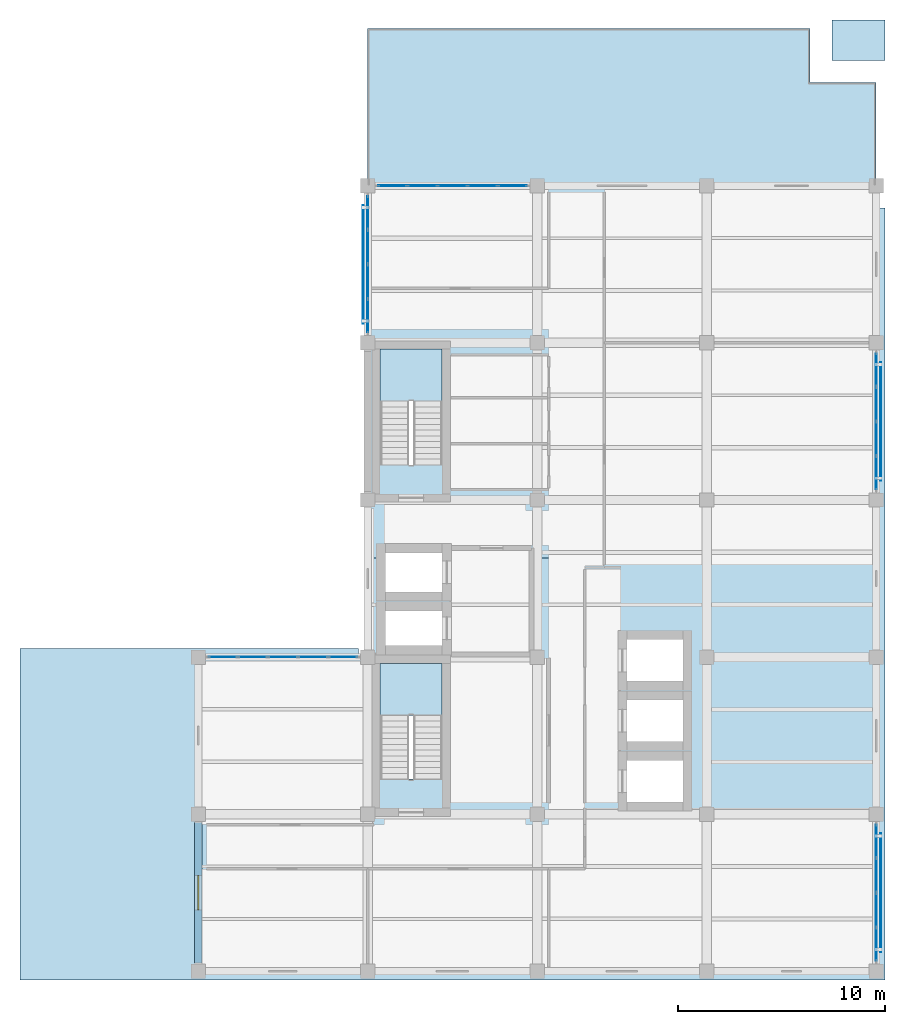
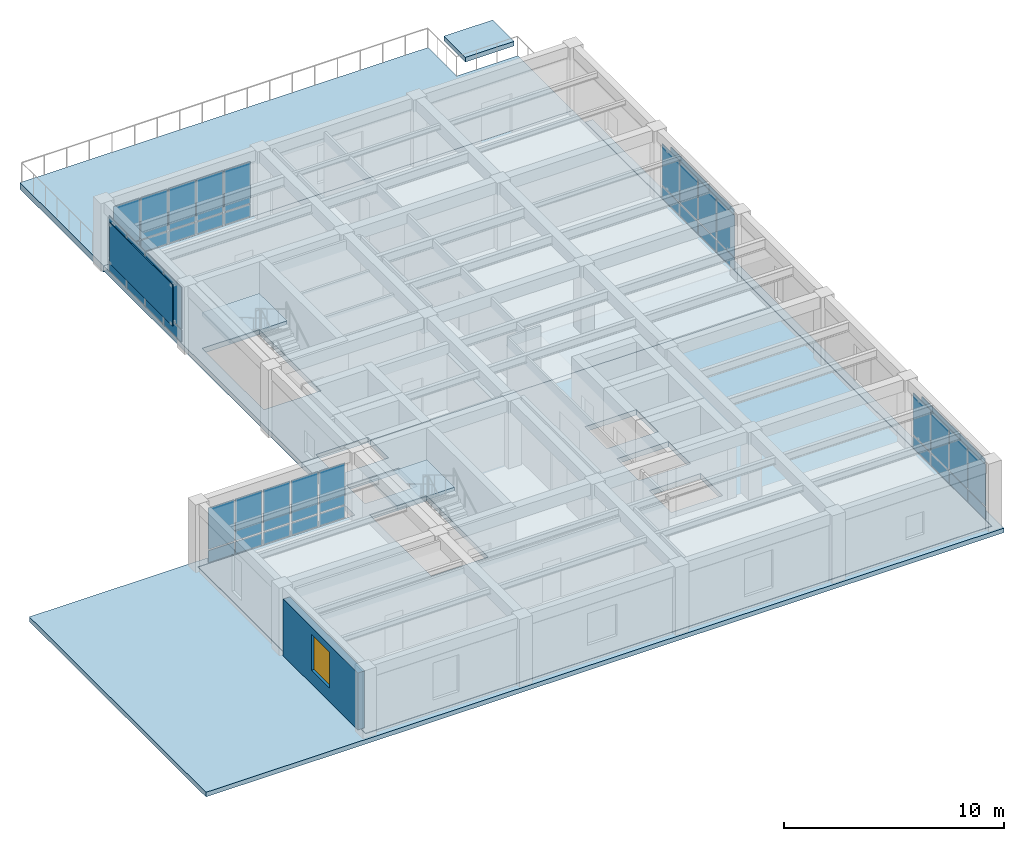
# One storey, part 5 of 11: 47 plates, 7 slabs, 1 wall, 1 window, 1 opening, 7 elements without a shape of their own.
"""IFC4 building model written with IfcOpenShell, lengths in metres."""

from ifc_helpers import new_model, si_unit, direction, frame, frame_2d, origin, origin_2d, place, context, subcontext, project, spatial, polyline, rectangle, outline, extrude, material, layer, layer_set, type_object, element, fill, aggregate, save


model = new_model("IFC4")

# Units and contexts
model_context = context("Model", 3, precision=1e-05, world=origin(), true_north=direction((0.0, 1.0)))
body_context = subcontext(model_context, "Body", "Model", "MODEL_VIEW")
ifc_project = project(units=[si_unit("LENGTHUNIT", "METRE"), si_unit("AREAUNIT", "SQUARE_METRE"), si_unit("VOLUMEUNIT", "CUBIC_METRE"), si_unit("PLANEANGLEUNIT", "RADIAN"), si_unit("MASSUNIT", "GRAM", prefix="KILO")], contexts=[model_context])

# Site, building, storey
site_placement = place(None, origin())
site = spatial("IfcSite", under=ifc_project, at=site_placement, CompositionType="ELEMENT")
building_placement = place(site_placement, origin())
building = spatial("IfcBuilding", under=site, at=building_placement, Name="Qandaris Square Conservatory and Botanical Centre", CompositionType="ELEMENT")
storey_placement = place(building_placement, frame((0.0, 0.0, 66.199951171875)))
storey = spatial("IfcBuildingStorey", under=building, at=storey_placement, Name="L15", CompositionType="ELEMENT", Elevation=66.199951171875)

# Curtain wall, plates
ifc_material_1 = material(Name="Anodised Aluminium", Category="aluminium")
curtain_wall_type_1 = type_object("IfcCurtainWallType", Name="Unitised Curtain Wall CW-4-670x316", PredefinedType="USERDEFINED", material=ifc_material_1)
curtain_wall_1_placement = place(storey_placement, origin())
curtain_wall_1 = element("IfcCurtainWall", 1, at=curtain_wall_1_placement, inside=storey, type_object=curtain_wall_type_1, Name="Curtain Wall CW-TWR-L15-2-1", ObjectType="GLAZED CURTAIN WALL", PredefinedType="USERDEFINED")
ifc_material_2 = material(Name="Tempered Low-E Glass", Category="glass")
ifc_layer_1 = layer(ifc_material_2, 0.035888671875)
ifc_layer_set_1 = layer_set([ifc_layer_1], Name="Tempered Low-E Glass")
plate_type_1 = type_object("IfcPlateType", Name="Double-Glazed Solar Control Vision Unit 36mm", PredefinedType="CURTAIN_PANEL", material=ifc_layer_set_1)
plate_1_placement = place(storey_placement, frame((163.800048828125, 17.90380859375, 0.06494140625), z_axis=(0.0, 0.0, 1.0), x_axis=(0.0, 1.0, 0.0)))
plate_1 = element("IfcPlate", 2, at=plate_1_placement, type_object=plate_type_1, Name="CW-4-670x316 panel 1.1", PredefinedType="CURTAIN_PANEL", context=body_context, shape_type="SweptSolid", body=[
    extrude(rectangle(XDim=1.577392578125, YDim=0.035888671875, at=origin_2d()), origin(), (0.0, 0.0, 1.0), 0.660888671875),
])
plate_2_placement = place(storey_placement, frame((163.800048828125, 17.90380859375, 0.791015625), z_axis=(0.0, 0.0, 1.0), x_axis=(0.0, 1.0, 0.0)))
plate_2 = element("IfcPlate", 3, at=plate_2_placement, type_object=plate_type_1, Name="CW-4-670x316 panel 1.2", PredefinedType="CURTAIN_PANEL", context=body_context, shape_type="SweptSolid", body=[
    extrude(rectangle(XDim=1.577392578125, YDim=0.035888671875, at=origin_2d()), origin(), (0.0, 0.0, 1.0), 2.30419921875),
])
plate_3_placement = place(storey_placement, frame((163.800048828125, 19.5625, 0.06494140625), z_axis=(0.0, 0.0, 1.0), x_axis=(0.0, 1.0, 0.0)))
plate_3 = element("IfcPlate", 4, at=plate_3_placement, type_object=plate_type_1, Name="CW-4-670x316 panel 2.1", PredefinedType="CURTAIN_PANEL", context=body_context, shape_type="SweptSolid", body=[
    extrude(rectangle(XDim=1.610107421875, YDim=0.035888671875, at=origin_2d()), origin(), (0.0, 0.0, 1.0), 0.660888671875),
])
plate_4_placement = place(storey_placement, frame((163.800048828125, 19.5625, 0.791015625), z_axis=(0.0, 0.0, 1.0), x_axis=(0.0, 1.0, 0.0)))
plate_4 = element("IfcPlate", 5, at=plate_4_placement, type_object=plate_type_1, Name="CW-4-670x316 panel 2.2", PredefinedType="CURTAIN_PANEL", context=body_context, shape_type="SweptSolid", body=[
    extrude(rectangle(XDim=1.610107421875, YDim=0.035888671875, at=origin_2d()), origin(), (0.0, 0.0, 1.0), 2.30419921875),
])
plate_5_placement = place(storey_placement, frame((163.800048828125, 21.237548828125, 0.06494140625), z_axis=(0.0, 0.0, 1.0), x_axis=(0.0, 1.0, 0.0)))
plate_5 = element("IfcPlate", 6, at=plate_5_placement, type_object=plate_type_1, Name="CW-4-670x316 panel 3.1", PredefinedType="CURTAIN_PANEL", context=body_context, shape_type="SweptSolid", body=[
    extrude(rectangle(XDim=1.610107421875, YDim=0.035888671875, at=origin_2d()), origin(), (0.0, 0.0, 1.0), 0.660888671875),
])
plate_6_placement = place(storey_placement, frame((163.800048828125, 21.237548828125, 0.791015625), z_axis=(0.0, 0.0, 1.0), x_axis=(0.0, 1.0, 0.0)))
plate_6 = element("IfcPlate", 7, at=plate_6_placement, type_object=plate_type_1, Name="CW-4-670x316 panel 3.2", PredefinedType="CURTAIN_PANEL", context=body_context, shape_type="SweptSolid", body=[
    extrude(rectangle(XDim=1.610107421875, YDim=0.035888671875, at=origin_2d()), origin(), (0.0, 0.0, 1.0), 2.30419921875),
])
plate_7_placement = place(storey_placement, frame((163.800048828125, 22.896240234375, 0.06494140625), z_axis=(0.0, 0.0, 1.0), x_axis=(0.0, 1.0, 0.0)))
plate_7 = element("IfcPlate", 8, at=plate_7_placement, type_object=plate_type_1, Name="CW-4-670x316 panel 4.1", PredefinedType="CURTAIN_PANEL", context=body_context, shape_type="SweptSolid", body=[
    extrude(rectangle(XDim=1.577392578125, YDim=0.035888671875, at=origin_2d()), origin(), (0.0, 0.0, 1.0), 0.660888671875),
])
plate_8_placement = place(storey_placement, frame((163.800048828125, 22.896240234375, 0.791015625), z_axis=(0.0, 0.0, 1.0), x_axis=(0.0, 1.0, 0.0)))
plate_8 = element("IfcPlate", 9, at=plate_8_placement, type_object=plate_type_1, Name="CW-4-670x316 panel 4.2", PredefinedType="CURTAIN_PANEL", context=body_context, shape_type="SweptSolid", body=[
    extrude(rectangle(XDim=1.577392578125, YDim=0.035888671875, at=origin_2d()), origin(), (0.0, 0.0, 1.0), 2.30419921875),
])
aggregate(curtain_wall_1, [plate_1, plate_2, plate_3, plate_4, plate_5, plate_6, plate_7, plate_8])

curtain_wall_2_placement = place(storey_placement, origin())
curtain_wall_2 = element("IfcCurtainWall", 10, at=curtain_wall_2_placement, inside=storey, type_object=curtain_wall_type_1, Name="Curtain Wall CW-TWR-L15-2-4", ObjectType="GLAZED CURTAIN WALL", PredefinedType="USERDEFINED")
plate_9_placement = place(storey_placement, frame((163.800048828125, 40.703857421875, 0.06494140625), z_axis=(0.0, 0.0, 1.0), x_axis=(0.0, 1.0, 0.0)))
plate_9 = element("IfcPlate", 11, at=plate_9_placement, type_object=plate_type_1, Name="CW-4-670x316 panel 1.1", PredefinedType="CURTAIN_PANEL", context=body_context, shape_type="SweptSolid", body=[
    extrude(rectangle(XDim=1.577392578125, YDim=0.035888671875, at=origin_2d()), origin(), (0.0, 0.0, 1.0), 0.660888671875),
])
plate_10_placement = place(storey_placement, frame((163.800048828125, 40.703857421875, 0.791015625), z_axis=(0.0, 0.0, 1.0), x_axis=(0.0, 1.0, 0.0)))
plate_10 = element("IfcPlate", 12, at=plate_10_placement, type_object=plate_type_1, Name="CW-4-670x316 panel 1.2", PredefinedType="CURTAIN_PANEL", context=body_context, shape_type="SweptSolid", body=[
    extrude(rectangle(XDim=1.577392578125, YDim=0.035888671875, at=origin_2d()), origin(), (0.0, 0.0, 1.0), 2.30419921875),
])
plate_11_placement = place(storey_placement, frame((163.800048828125, 42.362548828125, 0.06494140625), z_axis=(0.0, 0.0, 1.0), x_axis=(0.0, 1.0, 0.0)))
plate_11 = element("IfcPlate", 13, at=plate_11_placement, type_object=plate_type_1, Name="CW-4-670x316 panel 2.1", PredefinedType="CURTAIN_PANEL", context=body_context, shape_type="SweptSolid", body=[
    extrude(rectangle(XDim=1.610107421875, YDim=0.035888671875, at=origin_2d()), origin(), (0.0, 0.0, 1.0), 0.660888671875),
])
plate_12_placement = place(storey_placement, frame((163.800048828125, 42.362548828125, 0.791015625), z_axis=(0.0, 0.0, 1.0), x_axis=(0.0, 1.0, 0.0)))
plate_12 = element("IfcPlate", 14, at=plate_12_placement, type_object=plate_type_1, Name="CW-4-670x316 panel 2.2", PredefinedType="CURTAIN_PANEL", context=body_context, shape_type="SweptSolid", body=[
    extrude(rectangle(XDim=1.610107421875, YDim=0.035888671875, at=origin_2d()), origin(), (0.0, 0.0, 1.0), 2.30419921875),
])
plate_13_placement = place(storey_placement, frame((163.800048828125, 44.03759765625, 0.06494140625), z_axis=(0.0, 0.0, 1.0), x_axis=(0.0, 1.0, 0.0)))
plate_13 = element("IfcPlate", 15, at=plate_13_placement, type_object=plate_type_1, Name="CW-4-670x316 panel 3.1", PredefinedType="CURTAIN_PANEL", context=body_context, shape_type="SweptSolid", body=[
    extrude(rectangle(XDim=1.610107421875, YDim=0.035888671875, at=origin_2d()), origin(), (0.0, 0.0, 1.0), 0.660888671875),
])
plate_14_placement = place(storey_placement, frame((163.800048828125, 44.03759765625, 0.791015625), z_axis=(0.0, 0.0, 1.0), x_axis=(0.0, 1.0, 0.0)))
plate_14 = element("IfcPlate", 16, at=plate_14_placement, type_object=plate_type_1, Name="CW-4-670x316 panel 3.2", PredefinedType="CURTAIN_PANEL", context=body_context, shape_type="SweptSolid", body=[
    extrude(rectangle(XDim=1.610107421875, YDim=0.035888671875, at=origin_2d()), origin(), (0.0, 0.0, 1.0), 2.30419921875),
])
plate_15_placement = place(storey_placement, frame((163.800048828125, 45.6962890625, 0.06494140625), z_axis=(0.0, 0.0, 1.0), x_axis=(0.0, 1.0, 0.0)))
plate_15 = element("IfcPlate", 17, at=plate_15_placement, type_object=plate_type_1, Name="CW-4-670x316 panel 4.1", PredefinedType="CURTAIN_PANEL", context=body_context, shape_type="SweptSolid", body=[
    extrude(rectangle(XDim=1.577392578125, YDim=0.035888671875, at=origin_2d()), origin(), (0.0, 0.0, 1.0), 0.660888671875),
])
plate_16_placement = place(storey_placement, frame((163.800048828125, 45.6962890625, 0.791015625), z_axis=(0.0, 0.0, 1.0), x_axis=(0.0, 1.0, 0.0)))
plate_16 = element("IfcPlate", 18, at=plate_16_placement, type_object=plate_type_1, Name="CW-4-670x316 panel 4.2", PredefinedType="CURTAIN_PANEL", context=body_context, shape_type="SweptSolid", body=[
    extrude(rectangle(XDim=1.577392578125, YDim=0.035888671875, at=origin_2d()), origin(), (0.0, 0.0, 1.0), 2.30419921875),
])
aggregate(curtain_wall_2, [plate_9, plate_10, plate_11, plate_12, plate_13, plate_14, plate_15, plate_16])

curtain_wall_type_2 = type_object("IfcCurtainWallType", Name="Unitised Curtain Wall CW-3-730x316", PredefinedType="USERDEFINED", material=ifc_material_1)
curtain_wall_3_placement = place(storey_placement, origin())
curtain_wall_3 = element("IfcCurtainWall", 19, at=curtain_wall_3_placement, inside=storey, type_object=curtain_wall_type_2, Name="Curtain Wall CW-TWR-L15-3-3", ObjectType="GLAZED CURTAIN WALL", PredefinedType="USERDEFINED")
plate_17_placement = place(storey_placement, frame((146.203857421875, 54.60009765625, 0.06494140625), z_axis=(0.0, 0.0, 1.0), x_axis=(-1.0, 0.0, 0.0)))
plate_17 = element("IfcPlate", 20, at=plate_17_placement, type_object=plate_type_1, Name="CW-3-730x316 panel 1.1", PredefinedType="CURTAIN_PANEL", context=body_context, shape_type="SweptSolid", body=[
    extrude(rectangle(XDim=1.362548828125, YDim=0.035888671875, at=origin_2d()), origin(), (0.0, 0.0, 1.0), 0.660888671875),
])
plate_18_placement = place(storey_placement, frame((146.203857421875, 54.60009765625, 0.791015625), z_axis=(0.0, 0.0, 1.0), x_axis=(-1.0, 0.0, 0.0)))
plate_18 = element("IfcPlate", 21, at=plate_18_placement, type_object=plate_type_1, Name="CW-3-730x316 panel 1.2", PredefinedType="CURTAIN_PANEL", context=body_context, shape_type="SweptSolid", body=[
    extrude(rectangle(XDim=1.362548828125, YDim=0.035888671875, at=origin_2d()), origin(), (0.0, 0.0, 1.0), 2.30419921875),
])
plate_19_placement = place(storey_placement, frame((144.760009765625, 54.60009765625, 0.06494140625), z_axis=(0.0, 0.0, 1.0), x_axis=(-1.0, 0.0, 0.0)))
plate_19 = element("IfcPlate", 22, at=plate_19_placement, type_object=plate_type_1, Name="CW-3-730x316 panel 2.1", PredefinedType="CURTAIN_PANEL", context=body_context, shape_type="SweptSolid", body=[
    extrude(rectangle(XDim=1.39501953125, YDim=0.035888671875, at=origin_2d()), origin(), (0.0, 0.0, 1.0), 0.660888671875),
])
plate_20_placement = place(storey_placement, frame((144.760009765625, 54.60009765625, 0.791015625), z_axis=(0.0, 0.0, 1.0), x_axis=(-1.0, 0.0, 0.0)))
plate_20 = element("IfcPlate", 23, at=plate_20_placement, type_object=plate_type_1, Name="CW-3-730x316 panel 2.2", PredefinedType="CURTAIN_PANEL", context=body_context, shape_type="SweptSolid", body=[
    extrude(rectangle(XDim=1.39501953125, YDim=0.035888671875, at=origin_2d()), origin(), (0.0, 0.0, 1.0), 2.30419921875),
])
plate_21_placement = place(storey_placement, frame((143.300048828125, 54.60009765625, 0.06494140625), z_axis=(0.0, 0.0, 1.0), x_axis=(-1.0, 0.0, 0.0)))
plate_21 = element("IfcPlate", 24, at=plate_21_placement, type_object=plate_type_1, Name="CW-3-730x316 panel 3.1", PredefinedType="CURTAIN_PANEL", context=body_context, shape_type="SweptSolid", body=[
    extrude(rectangle(XDim=1.39501953125, YDim=0.035888671875, at=origin_2d()), origin(), (0.0, 0.0, 1.0), 0.660888671875),
])
plate_22_placement = place(storey_placement, frame((143.300048828125, 54.60009765625, 0.791015625), z_axis=(0.0, 0.0, 1.0), x_axis=(-1.0, 0.0, 0.0)))
plate_22 = element("IfcPlate", 25, at=plate_22_placement, type_object=plate_type_1, Name="CW-3-730x316 panel 3.2", PredefinedType="CURTAIN_PANEL", context=body_context, shape_type="SweptSolid", body=[
    extrude(rectangle(XDim=1.39501953125, YDim=0.035888671875, at=origin_2d()), origin(), (0.0, 0.0, 1.0), 2.30419921875),
])
plate_23_placement = place(storey_placement, frame((141.840087890625, 54.60009765625, 0.06494140625), z_axis=(0.0, 0.0, 1.0), x_axis=(-1.0, 0.0, 0.0)))
plate_23 = element("IfcPlate", 26, at=plate_23_placement, type_object=plate_type_1, Name="CW-3-730x316 panel 4.1", PredefinedType="CURTAIN_PANEL", context=body_context, shape_type="SweptSolid", body=[
    extrude(rectangle(XDim=1.39501953125, YDim=0.035888671875, at=origin_2d()), origin(), (0.0, 0.0, 1.0), 0.660888671875),
])
plate_24_placement = place(storey_placement, frame((141.840087890625, 54.60009765625, 0.791015625), z_axis=(0.0, 0.0, 1.0), x_axis=(-1.0, 0.0, 0.0)))
plate_24 = element("IfcPlate", 27, at=plate_24_placement, type_object=plate_type_1, Name="CW-3-730x316 panel 4.2", PredefinedType="CURTAIN_PANEL", context=body_context, shape_type="SweptSolid", body=[
    extrude(rectangle(XDim=1.39501953125, YDim=0.035888671875, at=origin_2d()), origin(), (0.0, 0.0, 1.0), 2.30419921875),
])
plate_25_placement = place(storey_placement, frame((140.396240234375, 54.60009765625, 0.06494140625), z_axis=(0.0, 0.0, 1.0), x_axis=(-1.0, 0.0, 0.0)))
plate_25 = element("IfcPlate", 28, at=plate_25_placement, type_object=plate_type_1, Name="CW-3-730x316 panel 5.1", PredefinedType="CURTAIN_PANEL", context=body_context, shape_type="SweptSolid", body=[
    extrude(rectangle(XDim=1.362548828125, YDim=0.035888671875, at=origin_2d()), origin(), (0.0, 0.0, 1.0), 0.660888671875),
])
plate_26_placement = place(storey_placement, frame((140.396240234375, 54.60009765625, 0.791015625), z_axis=(0.0, 0.0, 1.0), x_axis=(-1.0, 0.0, 0.0)))
plate_26 = element("IfcPlate", 29, at=plate_26_placement, type_object=plate_type_1, Name="CW-3-730x316 panel 5.2", PredefinedType="CURTAIN_PANEL", context=body_context, shape_type="SweptSolid", body=[
    extrude(rectangle(XDim=1.362548828125, YDim=0.035888671875, at=origin_2d()), origin(), (0.0, 0.0, 1.0), 2.30419921875),
])
aggregate(curtain_wall_3, [plate_17, plate_18, plate_19, plate_20, plate_21, plate_22, plate_23, plate_24, plate_25, plate_26])

curtain_wall_4_placement = place(storey_placement, origin())
curtain_wall_4 = element("IfcCurtainWall", 30, at=curtain_wall_4_placement, inside=storey, type_object=curtain_wall_type_1, Name="Curtain Wall CW-TWR-L15-4-1", ObjectType="GLAZED CURTAIN WALL", PredefinedType="USERDEFINED")
plate_27_placement = place(storey_placement, frame((139.199951171875, 53.296142578125, 0.06494140625), z_axis=(0.0, 0.0, 1.0), x_axis=(0.0, -1.0, 0.0)))
plate_27 = element("IfcPlate", 31, at=plate_27_placement, type_object=plate_type_1, Name="CW-4-670x316 panel 1.1", PredefinedType="CURTAIN_PANEL", context=body_context, shape_type="SweptSolid", body=[
    extrude(rectangle(XDim=1.577392578125, YDim=0.035888671875, at=origin_2d()), origin(), (0.0, 0.0, 1.0), 0.660888671875),
])
plate_28_placement = place(storey_placement, frame((139.199951171875, 53.296142578125, 0.791015625), z_axis=(0.0, 0.0, 1.0), x_axis=(0.0, -1.0, 0.0)))
plate_28 = element("IfcPlate", 32, at=plate_28_placement, type_object=plate_type_1, Name="CW-4-670x316 panel 1.2", PredefinedType="CURTAIN_PANEL", context=body_context, shape_type="SweptSolid", body=[
    extrude(rectangle(XDim=1.577392578125, YDim=0.035888671875, at=origin_2d()), origin(), (0.0, 0.0, 1.0), 2.30419921875),
])
plate_29_placement = place(storey_placement, frame((139.199951171875, 51.637451171875, 0.06494140625), z_axis=(0.0, 0.0, 1.0), x_axis=(0.0, -1.0, 0.0)))
plate_29 = element("IfcPlate", 33, at=plate_29_placement, type_object=plate_type_1, Name="CW-4-670x316 panel 2.1", PredefinedType="CURTAIN_PANEL", context=body_context, shape_type="SweptSolid", body=[
    extrude(rectangle(XDim=1.610107421875, YDim=0.035888671875, at=origin_2d()), origin(), (0.0, 0.0, 1.0), 0.660888671875),
])
plate_30_placement = place(storey_placement, frame((139.199951171875, 51.637451171875, 0.791015625), z_axis=(0.0, 0.0, 1.0), x_axis=(0.0, -1.0, 0.0)))
plate_30 = element("IfcPlate", 34, at=plate_30_placement, type_object=plate_type_1, Name="CW-4-670x316 panel 2.2", PredefinedType="CURTAIN_PANEL", context=body_context, shape_type="SweptSolid", body=[
    extrude(rectangle(XDim=1.610107421875, YDim=0.035888671875, at=origin_2d()), origin(), (0.0, 0.0, 1.0), 2.30419921875),
])
plate_31_placement = place(storey_placement, frame((139.199951171875, 49.96240234375, 0.06494140625), z_axis=(0.0, 0.0, 1.0), x_axis=(0.0, -1.0, 0.0)))
plate_31 = element("IfcPlate", 35, at=plate_31_placement, type_object=plate_type_1, Name="CW-4-670x316 panel 3.1", PredefinedType="CURTAIN_PANEL", context=body_context, shape_type="SweptSolid", body=[
    extrude(rectangle(XDim=1.610107421875, YDim=0.035888671875, at=origin_2d()), origin(), (0.0, 0.0, 1.0), 0.660888671875),
])
plate_32_placement = place(storey_placement, frame((139.199951171875, 49.96240234375, 0.791015625), z_axis=(0.0, 0.0, 1.0), x_axis=(0.0, -1.0, 0.0)))
plate_32 = element("IfcPlate", 36, at=plate_32_placement, type_object=plate_type_1, Name="CW-4-670x316 panel 3.2", PredefinedType="CURTAIN_PANEL", context=body_context, shape_type="SweptSolid", body=[
    extrude(rectangle(XDim=1.610107421875, YDim=0.035888671875, at=origin_2d()), origin(), (0.0, 0.0, 1.0), 2.30419921875),
])
plate_33_placement = place(storey_placement, frame((139.199951171875, 48.3037109375, 0.06494140625), z_axis=(0.0, 0.0, 1.0), x_axis=(0.0, -1.0, 0.0)))
plate_33 = element("IfcPlate", 37, at=plate_33_placement, type_object=plate_type_1, Name="CW-4-670x316 panel 4.1", PredefinedType="CURTAIN_PANEL", context=body_context, shape_type="SweptSolid", body=[
    extrude(rectangle(XDim=1.577392578125, YDim=0.035888671875, at=origin_2d()), origin(), (0.0, 0.0, 1.0), 0.660888671875),
])
plate_34_placement = place(storey_placement, frame((139.199951171875, 48.3037109375, 0.791015625), z_axis=(0.0, 0.0, 1.0), x_axis=(0.0, -1.0, 0.0)))
plate_34 = element("IfcPlate", 38, at=plate_34_placement, type_object=plate_type_1, Name="CW-4-670x316 panel 4.2", PredefinedType="CURTAIN_PANEL", context=body_context, shape_type="SweptSolid", body=[
    extrude(rectangle(XDim=1.577392578125, YDim=0.035888671875, at=origin_2d()), origin(), (0.0, 0.0, 1.0), 2.30419921875),
])
aggregate(curtain_wall_4, [plate_27, plate_28, plate_29, plate_30, plate_31, plate_32, plate_33, plate_34])

curtain_wall_type_3 = type_object("IfcCurtainWallType", Name="Unitised Curtain Wall CW-4-730x316", PredefinedType="USERDEFINED", material=ifc_material_1)
curtain_wall_5_placement = place(storey_placement, origin())
curtain_wall_5 = element("IfcCurtainWall", 39, at=curtain_wall_5_placement, inside=storey, type_object=curtain_wall_type_3, Name="Curtain Wall CW-TWR-L15-5-1", ObjectType="GLAZED CURTAIN WALL", PredefinedType="USERDEFINED")
plate_35_placement = place(storey_placement, frame((138.003662109375, 31.800048828125, 0.06494140625), z_axis=(0.0, 0.0, 1.0), x_axis=(-1.0, 0.0, 0.0)))
plate_35 = element("IfcPlate", 40, at=plate_35_placement, type_object=plate_type_1, Name="CW-4-730x316 panel 1.1", PredefinedType="CURTAIN_PANEL", context=body_context, shape_type="SweptSolid", body=[
    extrude(rectangle(XDim=1.362548828125, YDim=0.035888671875, at=origin_2d()), origin(), (0.0, 0.0, 1.0), 0.660888671875),
])
plate_36_placement = place(storey_placement, frame((138.003662109375, 31.800048828125, 0.791015625), z_axis=(0.0, 0.0, 1.0), x_axis=(-1.0, 0.0, 0.0)))
plate_36 = element("IfcPlate", 41, at=plate_36_placement, type_object=plate_type_1, Name="CW-4-730x316 panel 1.2", PredefinedType="CURTAIN_PANEL", context=body_context, shape_type="SweptSolid", body=[
    extrude(rectangle(XDim=1.362548828125, YDim=0.035888671875, at=origin_2d()), origin(), (0.0, 0.0, 1.0), 2.30419921875),
])
plate_37_placement = place(storey_placement, frame((136.56005859375, 31.800048828125, 0.06494140625), z_axis=(0.0, 0.0, 1.0), x_axis=(-1.0, 0.0, 0.0)))
plate_37 = element("IfcPlate", 42, at=plate_37_placement, type_object=plate_type_1, Name="CW-4-730x316 panel 2.1", PredefinedType="CURTAIN_PANEL", context=body_context, shape_type="SweptSolid", body=[
    extrude(rectangle(XDim=1.39501953125, YDim=0.035888671875, at=origin_2d()), origin(), (0.0, 0.0, 1.0), 0.660888671875),
])
plate_38_placement = place(storey_placement, frame((136.56005859375, 31.800048828125, 0.791015625), z_axis=(0.0, 0.0, 1.0), x_axis=(-1.0, 0.0, 0.0)))
plate_38 = element("IfcPlate", 43, at=plate_38_placement, type_object=plate_type_1, Name="CW-4-730x316 panel 2.2", PredefinedType="CURTAIN_PANEL", context=body_context, shape_type="SweptSolid", body=[
    extrude(rectangle(XDim=1.39501953125, YDim=0.035888671875, at=origin_2d()), origin(), (0.0, 0.0, 1.0), 2.30419921875),
])
plate_39_placement = place(storey_placement, frame((135.10009765625, 31.800048828125, 0.06494140625), z_axis=(0.0, 0.0, 1.0), x_axis=(-1.0, 0.0, 0.0)))
plate_39 = element("IfcPlate", 44, at=plate_39_placement, type_object=plate_type_1, Name="CW-4-730x316 panel 3.1", PredefinedType="CURTAIN_PANEL", context=body_context, shape_type="SweptSolid", body=[
    extrude(rectangle(XDim=1.39501953125, YDim=0.035888671875, at=origin_2d()), origin(), (0.0, 0.0, 1.0), 0.660888671875),
])
plate_40_placement = place(storey_placement, frame((135.10009765625, 31.800048828125, 0.791015625), z_axis=(0.0, 0.0, 1.0), x_axis=(-1.0, 0.0, 0.0)))
plate_40 = element("IfcPlate", 45, at=plate_40_placement, type_object=plate_type_1, Name="CW-4-730x316 panel 3.2", PredefinedType="CURTAIN_PANEL", context=body_context, shape_type="SweptSolid", body=[
    extrude(rectangle(XDim=1.39501953125, YDim=0.035888671875, at=origin_2d()), origin(), (0.0, 0.0, 1.0), 2.30419921875),
])
plate_41_placement = place(storey_placement, frame((133.639892578125, 31.800048828125, 0.06494140625), z_axis=(0.0, 0.0, 1.0), x_axis=(-1.0, 0.0, 0.0)))
plate_41 = element("IfcPlate", 46, at=plate_41_placement, type_object=plate_type_1, Name="CW-4-730x316 panel 4.1", PredefinedType="CURTAIN_PANEL", context=body_context, shape_type="SweptSolid", body=[
    extrude(rectangle(XDim=1.39501953125, YDim=0.035888671875, at=origin_2d()), origin(), (0.0, 0.0, 1.0), 0.660888671875),
])
plate_42_placement = place(storey_placement, frame((133.639892578125, 31.800048828125, 0.791015625), z_axis=(0.0, 0.0, 1.0), x_axis=(-1.0, 0.0, 0.0)))
plate_42 = element("IfcPlate", 47, at=plate_42_placement, type_object=plate_type_1, Name="CW-4-730x316 panel 4.2", PredefinedType="CURTAIN_PANEL", context=body_context, shape_type="SweptSolid", body=[
    extrude(rectangle(XDim=1.39501953125, YDim=0.035888671875, at=origin_2d()), origin(), (0.0, 0.0, 1.0), 2.30419921875),
])
plate_43_placement = place(storey_placement, frame((132.1962890625, 31.800048828125, 0.06494140625), z_axis=(0.0, 0.0, 1.0), x_axis=(-1.0, 0.0, 0.0)))
plate_43 = element("IfcPlate", 48, at=plate_43_placement, type_object=plate_type_1, Name="CW-4-730x316 panel 5.1", PredefinedType="CURTAIN_PANEL", context=body_context, shape_type="SweptSolid", body=[
    extrude(rectangle(XDim=1.362548828125, YDim=0.035888671875, at=origin_2d()), origin(), (0.0, 0.0, 1.0), 0.660888671875),
])
plate_44_placement = place(storey_placement, frame((132.1962890625, 31.800048828125, 0.791015625), z_axis=(0.0, 0.0, 1.0), x_axis=(-1.0, 0.0, 0.0)))
plate_44 = element("IfcPlate", 49, at=plate_44_placement, type_object=plate_type_1, Name="CW-4-730x316 panel 5.2", PredefinedType="CURTAIN_PANEL", context=body_context, shape_type="SweptSolid", body=[
    extrude(rectangle(XDim=1.362548828125, YDim=0.035888671875, at=origin_2d()), origin(), (0.0, 0.0, 1.0), 2.30419921875),
])
aggregate(curtain_wall_5, [plate_35, plate_36, plate_37, plate_38, plate_39, plate_40, plate_41, plate_42, plate_43, plate_44])

# Plates
ifc_material_3 = material(Name="Weathering Bronze Alloy", Category="metal")
ifc_layer_2 = layer(ifc_material_3, 0.044921875)
ifc_layer_set_2 = layer_set([ifc_layer_2], Name="Weathering Bronze Alloy")
plate_type_2 = type_object("IfcPlateType", Name="Perforated Bronze Mashrabiya Solar Screen Panel", PredefinedType="USERDEFINED", material=ifc_layer_set_2)
for number, where, z_axis, x_axis, name in (
    (50, (164.02001953125, 20.39990234375, 0.78857421875), (0.0, 0.0, 1.0), (0.0, 1.0, 0.0), "Mashrabiya Solar Screen CW-TWR-L15-2-1"),
    (51, (164.02001953125, 43.199951171875, 0.78857421875), (0.0, 0.0, 1.0), (0.0, 1.0, 0.0), "Mashrabiya Solar Screen CW-TWR-L15-2-4"),
    (52, (138.97998046875, 50.800048828125, 0.78857421875), (0.0, 0.0, 1.0), (0.0, -1.0, 0.0), "Mashrabiya Solar Screen CW-TWR-L15-4-1"),
):
    element("IfcPlate", number, at=place(storey_placement, frame(where, z_axis=z_axis, x_axis=x_axis)), inside=storey, type_object=plate_type_2, Name=name, ObjectType="SOLAR SCREEN", PredefinedType="USERDEFINED", context=body_context, shape_type="SweptSolid", body=[
        extrude(rectangle(XDim=5.739990234375, YDim=0.044921875, at=origin_2d()), origin(), (0.0, 0.0, 1.0), 2.281494140625),
    ])

# Slabs
ifc_material_4 = material(Name="Concrete C40/50", Category="concrete")
ifc_layer_3 = layer(ifc_material_4, 0.360107421875)
ifc_layer_set_3 = layer_set([ifc_layer_3], Name="Concrete C40/50")
slab_type_1 = type_object("IfcSlabType", Name="RC Exterior Terrace Slab 360mm", PredefinedType="FLOOR", material=ifc_layer_set_3)
slab_1_placement = place(storey_placement, frame((0.0, 0.0, -0.35986328125)))
element("IfcSlab", 53, at=slab_1_placement, inside=storey, type_object=slab_type_1, Name="Botanical Observatory Terrace L15", PredefinedType="FLOOR", context=body_context, shape_type="SweptSolid", body=[
    extrude(outline(polyline([(163.800048828125, 54.60009765625), (139.199951171875, 54.60009765625), (139.199951171875, 62.199951171875), (160.60009765625, 62.199951171875), (160.60009765625, 59.60009765625), (163.800048828125, 59.60009765625), (163.800048828125, 54.60009765625)])), origin(), (0.0, 0.0, 1.0), 0.35986328125),
])
ifc_layer_4 = layer(ifc_material_4, 0.2548828125)
ifc_layer_set_4 = layer_set([ifc_layer_4], Name="Concrete C40/50")
slab_type_2 = type_object("IfcSlabType", Name="RC Flat Roof Slab 255mm", PredefinedType="ROOF", material=ifc_layer_set_4)
slab_2_placement = place(storey_placement, frame((0.0, 0.0, -0.2548828125)))
element("IfcSlab", 54, at=slab_2_placement, inside=storey, type_object=slab_type_2, Name="Step-Back Flat Roof Slab L15-1", PredefinedType="ROOF", context=body_context, shape_type="SweptSolid", body=[
    extrude(outline(polyline([(138.75, 32.219970703125), (138.75, 31.820068359375), (130.97998046875, 31.820068359375), (130.97998046875, 16.580078125), (163.820068359375, 16.580078125), (163.820068359375, 53.530029296875), (164.219970703125, 53.530029296875), (164.219970703125, 16.179931640625), (122.3798828125, 16.179931640625), (122.3798828125, 32.219970703125), (138.75, 32.219970703125)])), origin(), (0.0, 0.0, 1.0), 0.2548828125),
])
slab_3_placement = place(storey_placement, frame((0.0, 0.0, -0.2548828125)))
element("IfcSlab", 55, at=slab_3_placement, inside=storey, type_object=slab_type_2, Name="Step-Back Flat Roof Slab L15-2", PredefinedType="ROOF", context=body_context, shape_type="SweptSolid", body=[
    extrude(outline(polyline([(164.219970703125, 60.669921875), (161.669921875, 60.669921875), (161.669921875, 62.6201171875), (164.219970703125, 62.6201171875), (164.219970703125, 60.669921875)])), origin(), (0.0, 0.0, 1.0), 0.2548828125),
])

# Stair, slab
stair_type = type_object("IfcStairType", Name="Core Escape Scissor Stair", PredefinedType="HALF_TURN_STAIR", material=ifc_material_4)
stair_1_placement = place(storey_placement, origin())
stair_1 = element("IfcStair", 56, at=stair_1_placement, inside=storey, type_object=stair_type, Name="L15 Tower South Exit Stair ST-1", PredefinedType="HALF_TURN_STAIR")
ifc_layer_5 = layer(ifc_material_4, 0.219970703125)
ifc_layer_set_5 = layer_set([ifc_layer_5], Name="Concrete C40/50")
slab_type_3 = type_object("IfcSlabType", Name="RC Stair Half-Landing Slab 220mm", PredefinedType="LANDING", material=ifc_layer_set_5)
slab_4_placement = place(storey_placement, frame((0.0, 0.0, 1.800048828125)))
slab_4 = element("IfcSlab", 57, at=slab_4_placement, type_object=slab_type_3, Name="ST-1 landing 1", PredefinedType="LANDING", context=body_context, shape_type="SweptSolid", body=[
    extrude(outline(polyline([(142.800048828125, 28.97998046875), (142.800048828125, 31.5), (139.800048828125, 31.5), (139.800048828125, 28.97998046875), (142.800048828125, 28.97998046875)])), origin(), (0.0, 0.0, 1.0), 0.199951171875),
])
aggregate(stair_1, [slab_4])

stair_2_placement = place(storey_placement, origin())
stair_2 = element("IfcStair", 58, at=stair_2_placement, inside=storey, type_object=stair_type, Name="L15 Tower North Exit Stair ST-2", PredefinedType="HALF_TURN_STAIR")
slab_5_placement = place(storey_placement, frame((0.0, 0.0, 1.800048828125)))
slab_5 = element("IfcSlab", 59, at=slab_5_placement, type_object=slab_type_3, Name="ST-2 landing 1", PredefinedType="LANDING", context=body_context, shape_type="SweptSolid", body=[
    extrude(outline(polyline([(142.800048828125, 44.179931640625), (142.800048828125, 46.699951171875), (139.800048828125, 46.699951171875), (139.800048828125, 44.179931640625), (142.800048828125, 44.179931640625)])), origin(), (0.0, 0.0, 1.0), 0.199951171875),
])
aggregate(stair_2, [slab_5])

# Slabs
ifc_layer_6 = layer(ifc_material_4, 0.2900390625)
ifc_layer_set_6 = layer_set([ifc_layer_6], Name="Concrete C40/50")
slab_type_4 = type_object("IfcSlabType", Name="RC Structural Slab 290mm", PredefinedType="FLOOR", material=ifc_layer_set_6)
slab_6_placement = place(storey_placement, frame((0.0, 0.0, -0.2900390625)))
element("IfcSlab", 60, at=slab_6_placement, inside=storey, type_object=slab_type_4, Name="L15 Structural Slab V4L15", PredefinedType="FLOOR", context=body_context, shape_type="SweptSolid", body=[
    extrude(outline(polyline([(139.199951171875, 31.800048828125), (139.199951171875, 36.60009765625), (140.06005859375, 36.60009765625), (140.06005859375, 34.9599609375), (142.800048828125, 34.9599609375), (142.800048828125, 36.60009765625), (163.800048828125, 36.60009765625), (163.800048828125, 16.60009765625), (131.0, 16.60009765625), (131.0, 31.800048828125), (139.199951171875, 31.800048828125)]), holes=[polyline([(154.449951171875, 24.800048828125), (154.449951171875, 26.800048828125), (151.75, 26.800048828125), (151.75, 24.800048828125), (154.449951171875, 24.800048828125)]), polyline([(139.800048828125, 25.89990234375), (142.800048828125, 25.89990234375), (142.800048828125, 31.5), (139.800048828125, 31.5), (139.800048828125, 25.89990234375)]), polyline([(151.75, 27.719970703125), (154.449951171875, 27.719970703125), (154.449951171875, 29.719970703125), (151.75, 29.719970703125), (151.75, 27.719970703125)]), polyline([(151.75, 30.639892578125), (154.449951171875, 30.639892578125), (154.449951171875, 32.639892578125), (151.75, 32.639892578125), (151.75, 30.639892578125)]), polyline([(140.06005859375, 32.360107421875), (142.800048828125, 32.360107421875), (142.800048828125, 34.0400390625), (140.06005859375, 34.0400390625), (140.06005859375, 32.360107421875)])]), origin(), (0.0, 0.0, 1.0), 0.2900390625),
])
slab_7_placement = place(storey_placement, frame((0.0, 0.0, -0.2900390625)))
element("IfcSlab", 61, at=slab_7_placement, inside=storey, type_object=slab_type_4, Name="L15 Structural Slab V4L15", PredefinedType="FLOOR", context=body_context, shape_type="SweptSolid", body=[
    extrude(outline(polyline([(139.199951171875, 54.60009765625), (163.800048828125, 54.60009765625), (163.800048828125, 36.60009765625), (142.800048828125, 36.60009765625), (142.800048828125, 36.840087890625), (140.06005859375, 36.840087890625), (140.06005859375, 36.60009765625), (139.199951171875, 36.60009765625), (139.199951171875, 54.60009765625)]), holes=[polyline([(139.800048828125, 41.10009765625), (142.800048828125, 41.10009765625), (142.800048828125, 46.699951171875), (139.800048828125, 46.699951171875), (139.800048828125, 41.10009765625)])]), origin(), (0.0, 0.0, 1.0), 0.2900390625),
])

# Wall, opening, window
ifc_material_5 = material(Name="Precast concrete C40/50", Category="concrete")
ifc_layer_7 = layer(ifc_material_5, 0.360107421875)
ifc_layer_set_7 = layer_set([ifc_layer_7], Name="Precast concrete C40/50")
wall_type = type_object("IfcWallType", Name="Architectural Precast Cladding Wall 360mm", PredefinedType="SOLIDWALL", material=ifc_layer_set_7)
wall_placement = place(storey_placement, frame((131.0, 23.7900390625, 0.0), z_axis=(0.0, 0.0, 1.0), x_axis=(0.0, -1.0, 0.0)))
wall = element("IfcWall", 62, at=wall_placement, inside=storey, type_object=wall_type, Name="Exterior Wall EW-TWR-L15-6-2", PredefinedType="SOLIDWALL", context=body_context, shape_type="SweptSolid", body=[
    extrude(rectangle(XDim=6.780029296875, YDim=0.360107421875, at=frame_2d((3.39013671875, 0.0))), origin(), (0.0, 0.0, 1.0), 3.14501953125),
])
opening_placement = place(wall_placement, frame((2.56494140625, 0.0, 0.75)))
opening = element("IfcOpeningElement", 63, at=opening_placement, cuts=wall, Name="Opening WN-08", PredefinedType="OPENING", context=body_context, shape_type="SweptSolid", body=[
    extrude(rectangle(XDim=1.64990234375, YDim=2.0, at=frame_2d((0.824951171875, 1.0))), frame((0.0, 0.19189453125, 0.0), z_axis=(0.0, -1.0, 0.0), x_axis=(1.0, 0.0, 0.0)), (0.0, 0.0, 1.0), 0.384033203125),
])
window_type = type_object("IfcWindowType", Name="Seminar Courtyard Window 1650x2000", PartitioningType="DOUBLE_PANEL_VERTICAL", PredefinedType="WINDOW", material=ifc_material_2)
window_placement = place(opening_placement, origin())
window = element("IfcWindow", 64, at=window_placement, inside=storey, type_object=window_type, Name="Window EW-TWR-L15-6-2", OverallHeight=2.0, OverallWidth=1.64990234375, PartitioningType="DOUBLE_PANEL_VERTICAL", PredefinedType="WINDOW", context=body_context, shape_type="SweptSolid", body=[
    extrude(rectangle(XDim=1.64990234375, YDim=2.0, at=frame_2d((0.824951171875, 1.0))), frame((0.0, 0.030029296875, 0.0), z_axis=(0.0, -1.0, 0.0), x_axis=(1.0, 0.0, 0.0)), (0.0, 0.0, 1.0), 0.06005859375),
])
fill(opening, window)

save(model, "model.ifc")
